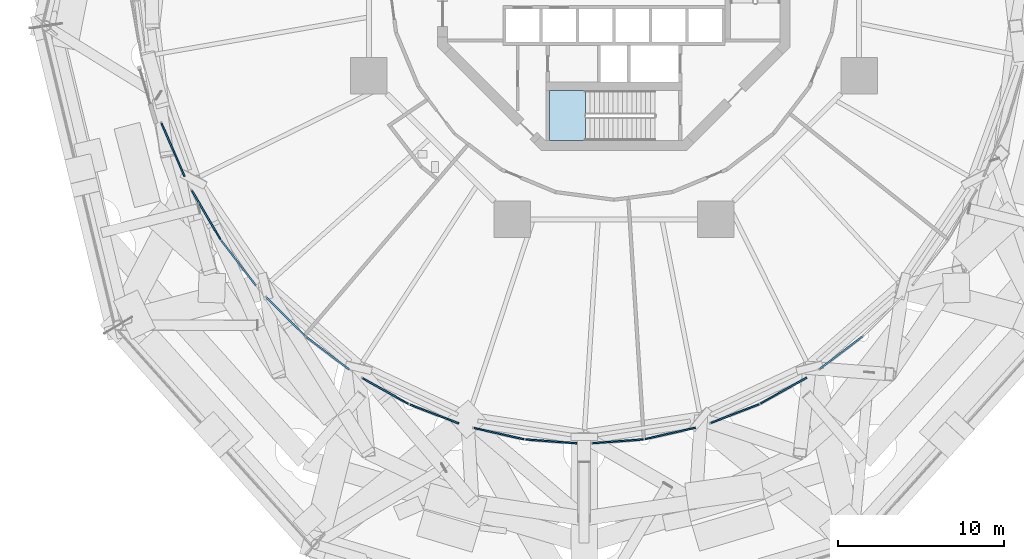
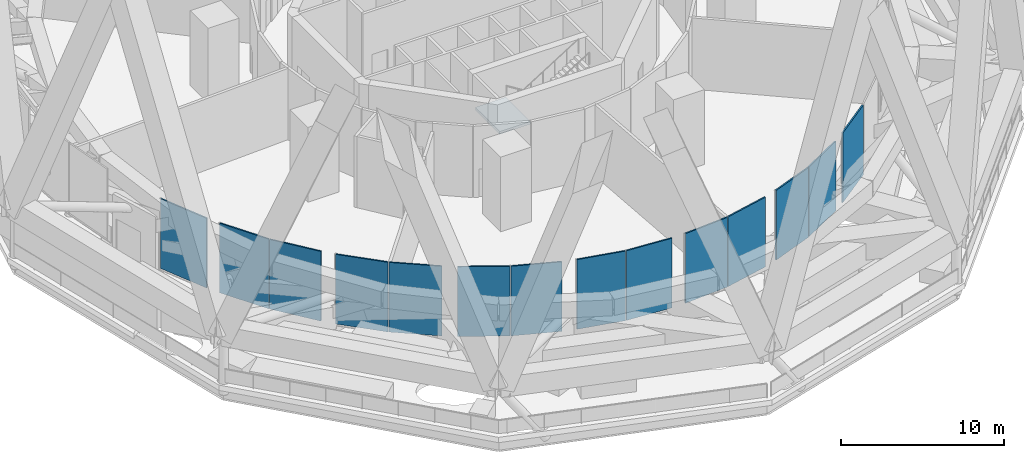
# One storey, part 51 of 65: 14 plates, 1 slab, 15 elements without a shape of their own.
"""IFC4 building model written with IfcOpenShell, lengths in metres."""

from ifc_helpers import new_model, si_unit, direction, frame, origin, origin_2d, place, context, subcontext, project, spatial, polyline, rectangle, outline, extrude, material, layer, layer_set, type_object, element, aggregate, save


model = new_model("IFC4")

# Units and contexts
model_context = context("Model", 3, precision=1e-05, world=origin(), true_north=direction((0.0, 1.0)))
body_context = subcontext(model_context, "Body", "Model", "MODEL_VIEW")
ifc_project = project(units=[si_unit("LENGTHUNIT", "METRE"), si_unit("AREAUNIT", "SQUARE_METRE"), si_unit("VOLUMEUNIT", "CUBIC_METRE"), si_unit("PLANEANGLEUNIT", "RADIAN"), si_unit("MASSUNIT", "GRAM", prefix="KILO")], contexts=[model_context])

# Site, building, storey
site_placement = place(None, origin())
site = spatial("IfcSite", under=ifc_project, at=site_placement, CompositionType="ELEMENT")
building_placement = place(site_placement, origin())
building = spatial("IfcBuilding", under=site, at=building_placement, Name="Nagisa Residences", CompositionType="ELEMENT")
storey_placement = place(building_placement, frame((0.0, 0.0, 114.0)))
storey = spatial("IfcBuildingStorey", under=building, at=storey_placement, Name="L28", CompositionType="ELEMENT", Elevation=114.0)

# Curtain wall, plate
ifc_material_1 = material(Name="Aluminium curtain wall system", Category="aluminium")
ifc_layer_1 = layer(ifc_material_1, 0.159912109375)
ifc_layer_set_1 = layer_set([ifc_layer_1], Name="CW5 CURTAIN WALL")
curtain_wall_type = type_object("IfcCurtainWallType", Name="CW5 CURTAIN WALL", PredefinedType="NOTDEFINED", material=ifc_layer_set_1)
curtain_wall_1_placement = place(storey_placement, origin())
curtain_wall_1 = element("IfcCurtainWall", 1, at=curtain_wall_1_placement, inside=storey, type_object=curtain_wall_type, Name="cw:CW5:L28:27", PredefinedType="NOTDEFINED")
ifc_material_2 = material(Name="Aluminium louvre", Category="aluminium")
ifc_layer_2 = layer(ifc_material_2, 0.10009765625)
ifc_layer_set_2 = layer_set([ifc_layer_2], Name="CW5 LOUVRE PANEL")
plate_type = type_object("IfcPlateType", Name="CW5 LOUVRE PANEL", PredefinedType="CURTAIN_PANEL", material=ifc_layer_set_2)
plate_1_placement = place(storey_placement, frame((-26.58984375, -10.58056640625, 0.1201171875), z_axis=(0.0, 0.0, 1.0), x_axis=(0.397635934147, -0.917543276295, 0.0)))
plate_1 = element("IfcPlate", 2, at=plate_1_placement, type_object=plate_type, Name="CW5 panel", PredefinedType="CURTAIN_PANEL", context=body_context, shape_type="SweptSolid", body=[
    extrude(rectangle(XDim=3.51953125, YDim=0.10009765625, at=origin_2d()), origin(), (0.0, 0.0, 1.0), 5.219970703125),
])
aggregate(curtain_wall_1, [plate_1])

curtain_wall_2_placement = place(storey_placement, origin())
curtain_wall_2 = element("IfcCurtainWall", 3, at=curtain_wall_2_placement, inside=storey, type_object=curtain_wall_type, Name="cw:CW5:L28:28", PredefinedType="NOTDEFINED")
plate_2_placement = place(storey_placement, frame((-24.580078125, -14.532958984375, 0.1201171875), z_axis=(0.0, 0.0, 1.0), x_axis=(0.506348567002, -0.862328898214, 0.0)))
plate_2 = element("IfcPlate", 4, at=plate_2_placement, type_object=plate_type, Name="CW5 panel", PredefinedType="CURTAIN_PANEL", context=body_context, shape_type="SweptSolid", body=[
    extrude(rectangle(XDim=3.46484375, YDim=0.10009765625, at=origin_2d()), origin(), (0.0, 0.0, 1.0), 5.219970703125),
])
aggregate(curtain_wall_2, [plate_2])

curtain_wall_3_placement = place(storey_placement, origin())
curtain_wall_3 = element("IfcCurtainWall", 5, at=curtain_wall_3_placement, inside=storey, type_object=curtain_wall_type, Name="cw:CW5:L28:29", PredefinedType="NOTDEFINED")
plate_3_placement = place(storey_placement, frame((-22.63330078125, -17.413818359375, 0.1201171875), z_axis=(0.0, 0.0, 1.0), x_axis=(0.610429828235, -0.792070340816, 0.0)))
plate_3 = element("IfcPlate", 6, at=plate_3_placement, type_object=plate_type, Name="CW5 panel", PredefinedType="CURTAIN_PANEL", context=body_context, shape_type="SweptSolid", body=[
    extrude(rectangle(XDim=3.403076171875, YDim=0.10009765625, at=origin_2d()), origin(), (0.0, 0.0, 1.0), 5.219970703125),
])
aggregate(curtain_wall_3, [plate_3])

curtain_wall_4_placement = place(storey_placement, origin())
curtain_wall_4 = element("IfcCurtainWall", 7, at=curtain_wall_4_placement, inside=storey, type_object=curtain_wall_type, Name="cw:CW5:L28:30", PredefinedType="NOTDEFINED")
plate_4_placement = place(storey_placement, frame((-19.784423828125, -20.6494140625, 0.1201171875), z_axis=(0.0, 0.0, 1.0), x_axis=(0.707835924016, -0.706376885714, 0.0)))
plate_4 = element("IfcPlate", 8, at=plate_4_placement, type_object=plate_type, Name="CW5 panel", PredefinedType="CURTAIN_PANEL", context=body_context, shape_type="SweptSolid", body=[
    extrude(rectangle(XDim=3.337890625, YDim=0.10009765625, at=origin_2d()), origin(), (0.0, 0.0, 1.0), 5.219970703125),
])
aggregate(curtain_wall_4, [plate_4])

curtain_wall_5_placement = place(storey_placement, origin())
curtain_wall_5 = element("IfcCurtainWall", 9, at=curtain_wall_5_placement, inside=storey, type_object=curtain_wall_type, Name="cw:CW5:L28:31", PredefinedType="NOTDEFINED")
plate_5_placement = place(storey_placement, frame((-17.260498046875, -22.84814453125, 0.1201171875), z_axis=(0.0, 0.0, 1.0), x_axis=(0.79603132756, -0.605255421737, 0.0)))
plate_5 = element("IfcPlate", 10, at=plate_5_placement, type_object=plate_type, Name="CW5 panel", PredefinedType="CURTAIN_PANEL", context=body_context, shape_type="SweptSolid", body=[
    extrude(rectangle(XDim=3.27392578125, YDim=0.10009765625, at=origin_2d()), origin(), (0.0, 0.0, 1.0), 5.219970703125),
])
aggregate(curtain_wall_5, [plate_5])

curtain_wall_6_placement = place(storey_placement, origin())
curtain_wall_6 = element("IfcCurtainWall", 11, at=curtain_wall_6_placement, inside=storey, type_object=curtain_wall_type, Name="cw:CW5:L28:32", PredefinedType="NOTDEFINED")
plate_6_placement = place(storey_placement, frame((-13.761474609375, -25.141845703125, 0.1201171875), z_axis=(0.0, 0.0, 1.0), x_axis=(0.872072377523, -0.489376918501, 0.0)))
plate_6 = element("IfcPlate", 12, at=plate_6_placement, type_object=plate_type, Name="CW5 panel", PredefinedType="CURTAIN_PANEL", context=body_context, shape_type="SweptSolid", body=[
    extrude(rectangle(XDim=3.2158203125, YDim=0.10009765625, at=origin_2d()), origin(), (0.0, 0.0, 1.0), 5.219970703125),
])
aggregate(curtain_wall_6, [plate_6])

curtain_wall_7_placement = place(storey_placement, origin())
curtain_wall_7 = element("IfcCurtainWall", 13, at=curtain_wall_7_placement, inside=storey, type_object=curtain_wall_type, Name="cw:CW5:L28:33", PredefinedType="NOTDEFINED")
plate_7_placement = place(storey_placement, frame((-10.836181640625, -26.51611328125, 0.1201171875), z_axis=(0.0, 0.0, 1.0), x_axis=(0.932825759707, -0.360327770268, 0.0)))
plate_7 = element("IfcPlate", 14, at=plate_7_placement, type_object=plate_type, Name="CW5 panel", PredefinedType="CURTAIN_PANEL", context=body_context, shape_type="SweptSolid", body=[
    extrude(rectangle(XDim=3.16748046875, YDim=0.10009765625, at=origin_2d()), origin(), (0.0, 0.0, 1.0), 5.219970703125),
])
aggregate(curtain_wall_7, [plate_7])

curtain_wall_8_placement = place(storey_placement, origin())
curtain_wall_8 = element("IfcCurtainWall", 15, at=curtain_wall_8_placement, inside=storey, type_object=curtain_wall_type, Name="cw:CW5:L28:34", PredefinedType="NOTDEFINED")
plate_8_placement = place(storey_placement, frame((-6.925048828125, -27.703857421875, 0.1201171875), z_axis=(0.0, 0.0, 1.0), x_axis=(0.975327274089, -0.2207639201, 0.0)))
plate_8 = element("IfcPlate", 16, at=plate_8_placement, type_object=plate_type, Name="CW5 panel", PredefinedType="CURTAIN_PANEL", context=body_context, shape_type="SweptSolid", body=[
    extrude(rectangle(XDim=3.133056640625, YDim=0.10009765625, at=origin_2d()), origin(), (0.0, 0.0, 1.0), 5.219970703125),
])
aggregate(curtain_wall_8, [plate_8])

curtain_wall_9_placement = place(storey_placement, origin())
curtain_wall_9 = element("IfcCurtainWall", 17, at=curtain_wall_9_placement, inside=storey, type_object=curtain_wall_type, Name="cw:CW5:L28:35", PredefinedType="NOTDEFINED")
plate_9_placement = place(storey_placement, frame((-3.7958984375, -28.168212890625, 0.1201171875), z_axis=(0.0, 0.0, 1.0), x_axis=(0.997230168512, -0.074377355493, 0.0)))
plate_9 = element("IfcPlate", 18, at=plate_9_placement, type_object=plate_type, Name="CW5 panel", PredefinedType="CURTAIN_PANEL", context=body_context, shape_type="SweptSolid", body=[
    extrude(rectangle(XDim=3.114990234375, YDim=0.10009765625, at=origin_2d()), origin(), (0.0, 0.0, 1.0), 5.219970703125),
])
aggregate(curtain_wall_9, [plate_9])

curtain_wall_10_placement = place(storey_placement, origin())
curtain_wall_10 = element("IfcCurtainWall", 19, at=curtain_wall_10_placement, inside=storey, type_object=curtain_wall_type, Name="cw:CW5:L28:36", PredefinedType="NOTDEFINED")
plate_10_placement = place(storey_placement, frame((0.255859375, -28.163818359375, 0.1201171875), z_axis=(0.0, 0.0, 1.0), x_axis=(0.997230168512, 0.074377355493, 0.0)))
plate_10 = element("IfcPlate", 20, at=plate_10_placement, type_object=plate_type, Name="CW5 panel", PredefinedType="CURTAIN_PANEL", context=body_context, shape_type="SweptSolid", body=[
    extrude(rectangle(XDim=3.114990234375, YDim=0.10009765625, at=origin_2d()), origin(), (0.0, 0.0, 1.0), 5.219970703125),
])
aggregate(curtain_wall_10, [plate_10])

curtain_wall_11_placement = place(storey_placement, origin())
curtain_wall_11 = element("IfcCurtainWall", 21, at=curtain_wall_11_placement, inside=storey, type_object=curtain_wall_type, Name="cw:CW5:L28:37", PredefinedType="NOTDEFINED")
plate_11_placement = place(storey_placement, frame((3.383544921875, -27.690673828125, 0.1201171875), z_axis=(0.0, 0.0, 1.0), x_axis=(0.975327274089, 0.2207639201, 0.0)))
plate_11 = element("IfcPlate", 22, at=plate_11_placement, type_object=plate_type, Name="CW5 panel", PredefinedType="CURTAIN_PANEL", context=body_context, shape_type="SweptSolid", body=[
    extrude(rectangle(XDim=3.133056640625, YDim=0.10009765625, at=origin_2d()), origin(), (0.0, 0.0, 1.0), 5.219970703125),
])
aggregate(curtain_wall_11, [plate_11])

curtain_wall_12_placement = place(storey_placement, origin())
curtain_wall_12 = element("IfcCurtainWall", 23, at=curtain_wall_12_placement, inside=storey, type_object=curtain_wall_type, Name="cw:CW5:L28:38", PredefinedType="NOTDEFINED")
plate_12_placement = place(storey_placement, frame((7.292236328125, -26.494384765625, 0.1201171875), z_axis=(0.0, 0.0, 1.0), x_axis=(0.932825759707, 0.360327770268, 0.0)))
plate_12 = element("IfcPlate", 24, at=plate_12_placement, type_object=plate_type, Name="CW5 panel", PredefinedType="CURTAIN_PANEL", context=body_context, shape_type="SweptSolid", body=[
    extrude(rectangle(XDim=3.16748046875, YDim=0.10009765625, at=origin_2d()), origin(), (0.0, 0.0, 1.0), 5.219970703125),
])
aggregate(curtain_wall_12, [plate_12])

curtain_wall_13_placement = place(storey_placement, origin())
curtain_wall_13 = element("IfcCurtainWall", 25, at=curtain_wall_13_placement, inside=storey, type_object=curtain_wall_type, Name="cw:CW5:L28:39", PredefinedType="NOTDEFINED")
plate_13_placement = place(storey_placement, frame((10.2138671875, -25.1123046875, 0.1201171875), z_axis=(0.0, 0.0, 1.0), x_axis=(0.872072377523, 0.489376918501, 0.0)))
plate_13 = element("IfcPlate", 26, at=plate_13_placement, type_object=plate_type, Name="CW5 panel", PredefinedType="CURTAIN_PANEL", context=body_context, shape_type="SweptSolid", body=[
    extrude(rectangle(XDim=3.2158203125, YDim=0.10009765625, at=origin_2d()), origin(), (0.0, 0.0, 1.0), 5.219970703125),
])
aggregate(curtain_wall_13, [plate_13])

curtain_wall_14_placement = place(storey_placement, origin())
curtain_wall_14 = element("IfcCurtainWall", 27, at=curtain_wall_14_placement, inside=storey, type_object=curtain_wall_type, Name="cw:CW5:L28:40", PredefinedType="NOTDEFINED")
plate_14_placement = place(storey_placement, frame((13.708251953125, -22.81201171875, 0.1201171875), z_axis=(0.0, 0.0, 1.0), x_axis=(0.79603132756, 0.605255421737, 0.0)))
plate_14 = element("IfcPlate", 28, at=plate_14_placement, type_object=plate_type, Name="CW5 panel", PredefinedType="CURTAIN_PANEL", context=body_context, shape_type="SweptSolid", body=[
    extrude(rectangle(XDim=3.27392578125, YDim=0.10009765625, at=origin_2d()), origin(), (0.0, 0.0, 1.0), 5.219970703125),
])
aggregate(curtain_wall_14, [plate_14])

# Stair, slab
ifc_material_3 = material(Name="Concrete C60", Category="concrete")
stair_type = type_object("IfcStairType", Name="Exit stair", PredefinedType="HALF_TURN_STAIR", material=ifc_material_3)
stair_placement = place(storey_placement, origin())
stair = element("IfcStair", 29, at=stair_placement, inside=storey, type_object=stair_type, Name="L28 Exit stair S", PredefinedType="HALF_TURN_STAIR")
ifc_material_4 = material(Name="Concrete C60", Category="concrete")
ifc_layer_3 = layer(ifc_material_4, 0.199951171875)
ifc_layer_set_3 = layer_set([ifc_layer_3], Name="Stair landing")
slab_type = type_object("IfcSlabType", Name="Stair landing", PredefinedType="LANDING", material=ifc_layer_set_3)
slab_placement = place(storey_placement, frame((0.0, 0.0, 2.60009765625)))
slab = element("IfcSlab", 30, at=slab_placement, type_object=slab_type, Name="ST-S landing 1", PredefinedType="LANDING", context=body_context, shape_type="SweptSolid", body=[
    extrude(outline(polyline([(-1.72509765625, -7.024658203125), (-3.89990234375, -7.024658203125), (-3.89990234375, -10.024658203125), (-1.72509765625, -10.024658203125), (-1.72509765625, -7.024658203125)])), origin(), (0.0, 0.0, 1.0), 0.199951171875),
])
aggregate(stair, [slab])

save(model, "model.ifc")
